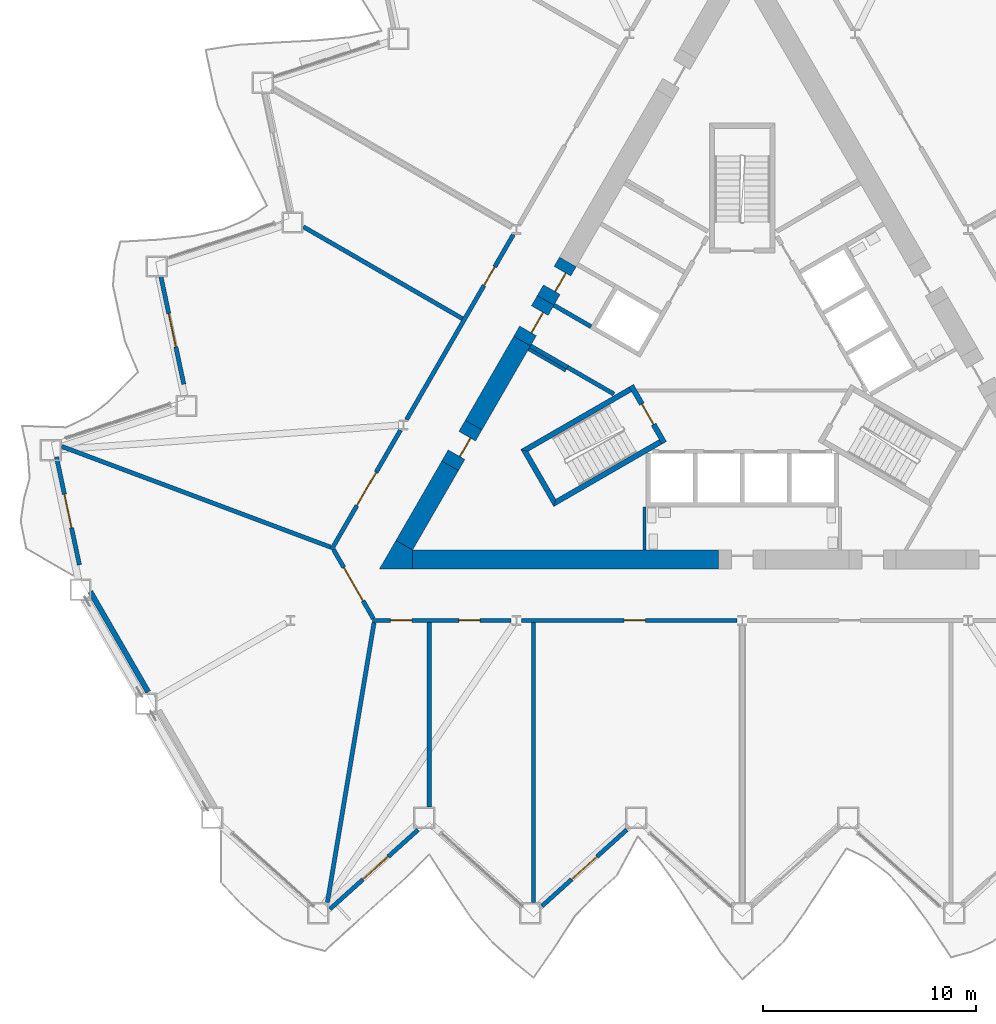
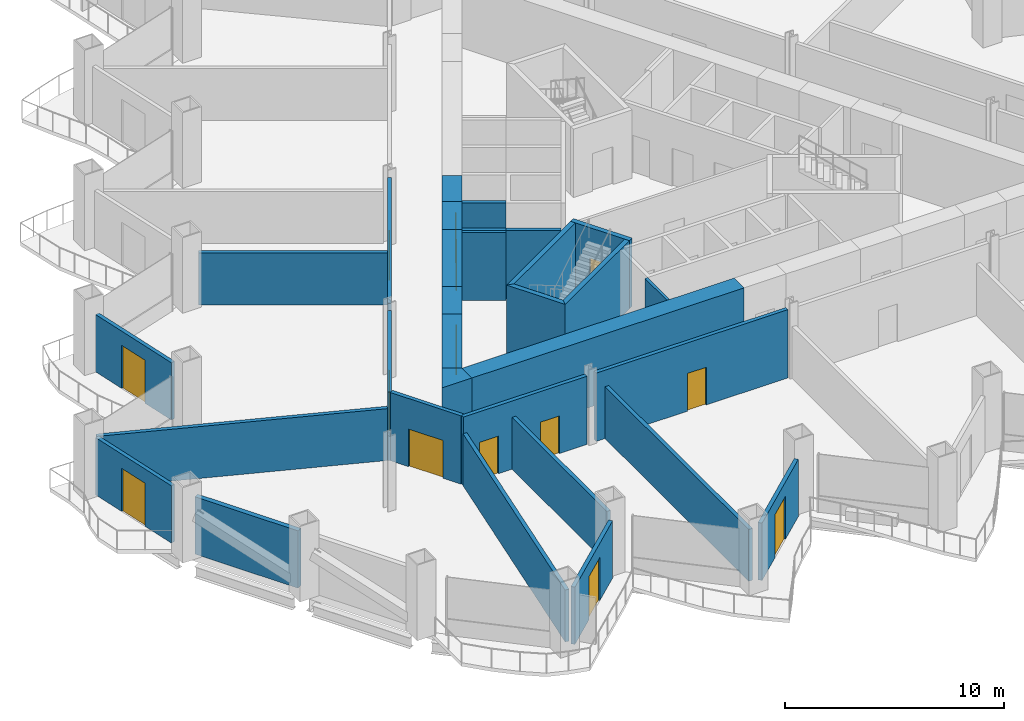
# One storey, part 9 of 20: 31 walls, 14 doors, 14 openings.
"""IFC4 building model written with IfcOpenShell, lengths in metres."""

from ifc_helpers import new_model, si_unit, direction, frame, frame_2d, origin, place, context, subcontext, project, spatial, polyline, rectangle, outline, extrude, material, layer, layer_set, type_object, element, fill, save


model = new_model("IFC4")

# Units and contexts
model_context = context("Model", 3, precision=1e-05, world=origin(), true_north=direction((0.0, 1.0)))
body_context = subcontext(model_context, "Body", "Model", "MODEL_VIEW")
ifc_project = project(units=[si_unit("LENGTHUNIT", "METRE"), si_unit("AREAUNIT", "SQUARE_METRE"), si_unit("VOLUMEUNIT", "CUBIC_METRE"), si_unit("PLANEANGLEUNIT", "RADIAN"), si_unit("MASSUNIT", "GRAM", prefix="KILO")], contexts=[model_context])

# Site, building, storey
site_placement = place(None, origin())
site = spatial("IfcSite", under=ifc_project, at=site_placement, CompositionType="ELEMENT")
building_placement = place(site_placement, origin())
building = spatial("IfcBuilding", under=site, at=building_placement, Name="Cormorant Prow Tower", CompositionType="ELEMENT")
storey_placement = place(building_placement, frame((0.0, 0.0, 59.39990234375)))
storey = spatial("IfcBuildingStorey", under=building, at=storey_placement, Name="L12", CompositionType="ELEMENT", Elevation=59.39990234375)

# Walls
ifc_material_1 = material(Name="Gypsum board partition")
ifc_layer_1 = layer(ifc_material_1, 0.14990234375)
ifc_layer_set_1 = layer_set([ifc_layer_1], Name="Gypsum board partition")
wall_type_1 = type_object("IfcWallType", Name="Core partition 150", PredefinedType="PARTITIONING", material=ifc_layer_set_1)
wall_1_placement = place(storey_placement, frame((-4.574951171875, -6.906005859375, 0.0), z_axis=(0.0, 0.0, 1.0), x_axis=(0.0, -1.0, 0.0)))
element("IfcWall", 1, at=wall_1_placement, inside=storey, type_object=wall_type_1, Name="Service room partition", PredefinedType="PARTITIONING", context=body_context, shape_type="SweptSolid", body=[
    extrude(rectangle(XDim=2.009033203125, YDim=0.14990234375, at=frame_2d((1.00439453125, 0.0))), origin(), (0.0, 0.0, 1.0), 3.800048828125),
])
wall_2_placement = place(storey_placement, frame((-8.268310546875, -0.509033203125, 0.0), z_axis=(0.0, 0.0, 1.0), x_axis=(-0.866035824272, 0.499981950752, 0.0)))
element("IfcWall", 2, at=wall_2_placement, inside=storey, type_object=wall_type_1, Name="Service room partition", PredefinedType="PARTITIONING", context=body_context, shape_type="SweptSolid", body=[
    extrude(rectangle(XDim=2.0087890625, YDim=0.14990234375, at=frame_2d((1.00439453125, 0.0))), origin(), (0.0, 0.0, 1.0), 3.800048828125),
])
ifc_material_2 = material(Name="Concrete 8000 psi", Category="concrete")
ifc_layer_2 = layer(ifc_material_2, 0.89990234375)
ifc_layer_set_2 = layer_set([ifc_layer_2], Name="Concrete 8000 psi")
wall_type_2 = type_object("IfcWallType", Name="Core shear wall 900", PredefinedType="SHEAR", material=ifc_layer_set_2)
wall_3_placement = place(storey_placement, frame((-15.441162109375, -9.364990234375, 0.0), z_axis=(0.0, 0.0, 1.0), x_axis=(1.0, 0.0, 0.0)))
element("IfcWall", 3, at=wall_3_placement, inside=storey, type_object=wall_type_2, Name="Core wall", PredefinedType="SHEAR", context=body_context, shape_type="SweptSolid", body=[
    extrude(rectangle(XDim=14.341064453125, YDim=0.89990234375, at=frame_2d((7.17041015625, 0.0))), origin(), (0.0, 0.0, 1.0), 3.800048828125),
])
wall_4_placement = place(storey_placement, frame((-10.310302734375, 0.8720703125, 0.0), z_axis=(0.0, 0.0, 1.0), x_axis=(-0.499968858743, -0.866043382451, 0.0)))
element("IfcWall", 4, at=wall_4_placement, inside=storey, type_object=wall_type_2, Name="Core wall", PredefinedType="SHEAR", context=body_context, shape_type="SweptSolid", body=[
    extrude(rectangle(XDim=4.545654296875, YDim=0.89990234375, at=frame_2d((2.27294921875, 0.0))), origin(), (0.0, 0.0, 1.0), 3.800048828125),
])
wall_5_placement = place(storey_placement, frame((-13.68310546875, -4.969970703125, 0.0), z_axis=(0.0, 0.0, 1.0), x_axis=(-0.499996331799, -0.866027521611, 0.0)))
element("IfcWall", 5, at=wall_5_placement, inside=storey, type_object=wall_type_2, Name="Core wall", PredefinedType="SHEAR", context=body_context, shape_type="SweptSolid", body=[
    extrude(rectangle(XDim=4.29541015625, YDim=0.89990234375, at=frame_2d((2.147705078125, 0.0))), origin(), (0.0, 0.0, 1.0), 3.800048828125),
])
wall_6_placement = place(storey_placement, origin())
element("IfcWall", 6, at=wall_6_placement, inside=storey, type_object=wall_type_2, Name="Core wall corner", PredefinedType="SHEAR", context=body_context, shape_type="SweptSolid", body=[
    extrude(outline(polyline([(-16.220703125, -8.465087890625), (-15.441162109375, -8.9150390625), (-15.441162109375, -9.81494140625), (-17.0, -9.81494140625), (-16.220703125, -8.465087890625)])), origin(), (0.0, 0.0, 1.0), 3.800048828125),
])

# Wall, opening, door
wall_7_placement = place(storey_placement, frame((-12.5830078125, -3.064697265625, 0.0), z_axis=(0.0, 0.0, 1.0), x_axis=(-0.50002983664, -0.866008176907, 0.0)))
wall_7 = element("IfcWall", 7, at=wall_7_placement, inside=storey, type_object=wall_type_2, Name="Core wall door panel", PredefinedType="SHEAR", context=body_context, shape_type="SweptSolid", body=[
    extrude(rectangle(XDim=2.199951171875, YDim=0.89990234375, at=frame_2d((1.10009765625, 0.0))), origin(), (0.0, 0.0, 1.0), 3.800048828125),
])
opening_1_placement = place(wall_7_placement, frame((0.60009765625, 0.0, 0.0)))
opening_1 = element("IfcOpeningElement", 8, at=opening_1_placement, cuts=wall_7, Name="Opening L12-C16", PredefinedType="OPENING", context=body_context, shape_type="SweptSolid", body=[
    extrude(rectangle(XDim=1.0, YDim=2.10009765625, at=frame_2d((0.5, 1.050048828125))), frame((0.0, 0.4599609375, 0.0), z_axis=(0.0, -1.0, 0.0), x_axis=(1.0, 0.0, 0.0)), (0.0, 0.0, 1.0), 0.919921875),
])
ifc_material_3 = material(Name="Painted steel", Category="steel")
door_type_1 = type_object("IfcDoorType", Name="Service door 1000x2100", OperationType="NOTDEFINED", PredefinedType="DOOR", material=ifc_material_3)
door_1_placement = place(opening_1_placement, origin())
door_1 = element("IfcDoor", 9, at=door_1_placement, inside=storey, type_object=door_type_1, Name="Core door, Telecom room", OperationType="SINGLE_SWING_LEFT", OverallHeight=2.10009765625, OverallWidth=1.0, PredefinedType="DOOR", context=body_context, shape_type="SweptSolid", body=[
    extrude(rectangle(XDim=1.0, YDim=2.10009765625, at=frame_2d((0.5, 1.050048828125))), frame((0.0, 0.205078125, 0.0), z_axis=(0.0, -1.0, 0.0), x_axis=(1.0, 0.0, 0.0)), (0.0, 0.0, 1.0), 0.050048828125),
])
fill(opening_1, door_1)

wall_8_placement = place(storey_placement, frame((-8.17041015625, 4.57861328125, 0.0), z_axis=(0.0, 0.0, 1.0), x_axis=(-0.499888406853, -0.866089822532, 0.0)))
wall_8 = element("IfcWall", 10, at=wall_8_placement, inside=storey, type_object=wall_type_2, Name="Core wall door panel", PredefinedType="SHEAR", context=body_context, shape_type="SweptSolid", body=[
    extrude(rectangle(XDim=2.080078125, YDim=0.89990234375, at=frame_2d((1.0400390625, 0.0))), origin(), (0.0, 0.0, 1.0), 3.800048828125),
])
opening_2_placement = place(wall_8_placement, frame((0.5, 0.0, 0.0)))
opening_2 = element("IfcOpeningElement", 11, at=opening_2_placement, cuts=wall_8, Name="Opening L12-C19", PredefinedType="OPENING", context=body_context, shape_type="SweptSolid", body=[
    extrude(rectangle(XDim=1.0, YDim=2.10009765625, at=frame_2d((0.5, 1.050048828125))), frame((0.0, 0.4599609375, 0.0), z_axis=(0.0, -1.0, 0.0), x_axis=(1.0, 0.0, 0.0)), (0.0, 0.0, 1.0), 0.919921875),
])
door_2_placement = place(opening_2_placement, origin())
door_2 = element("IfcDoor", 12, at=door_2_placement, inside=storey, type_object=door_type_1, Name="Core door, Electrical room", OperationType="SINGLE_SWING_RIGHT", OverallHeight=2.10009765625, OverallWidth=1.0, PredefinedType="DOOR", context=body_context, shape_type="SweptSolid", body=[
    extrude(rectangle(XDim=1.0, YDim=2.10009765625, at=frame_2d((0.5, 1.050048828125))), frame((0.0, 0.205078125, 0.0), z_axis=(0.0, -1.0, 0.0), x_axis=(1.0, 0.0, 0.0)), (0.0, 0.0, 1.0), 0.050048828125),
])
fill(opening_2, door_2)

wall_9_placement = place(storey_placement, frame((-9.210205078125, 2.777099609375, 0.0), z_axis=(0.0, 0.0, 1.0), x_axis=(-0.500077893725, -0.86598042715, 0.0)))
wall_9 = element("IfcWall", 13, at=wall_9_placement, inside=storey, type_object=wall_type_2, Name="Core wall door panel", PredefinedType="SHEAR", context=body_context, shape_type="SweptSolid", body=[
    extrude(rectangle(XDim=2.199951171875, YDim=0.89990234375, at=frame_2d((1.10009765625, 0.0))), origin(), (0.0, 0.0, 1.0), 3.800048828125),
])
opening_3_placement = place(wall_9_placement, frame((0.550048828125, 0.0, 0.0)))
opening_3 = element("IfcOpeningElement", 14, at=opening_3_placement, cuts=wall_9, Name="Opening L12-C23", PredefinedType="OPENING", context=body_context, shape_type="SweptSolid", body=[
    extrude(rectangle(XDim=1.10009765625, YDim=2.10009765625, at=frame_2d((0.550048828125, 1.050048828125))), frame((0.0, 0.4599609375, 0.0), z_axis=(0.0, -1.0, 0.0), x_axis=(1.0, 0.0, 0.0)), (0.0, 0.0, 1.0), 0.919921875),
])
ifc_material_4 = material(Name="Painted steel", Category="steel")
door_type_2 = type_object("IfcDoorType", Name="Core door 1100x2100", OperationType="NOTDEFINED", PredefinedType="DOOR", material=ifc_material_4)
door_3_placement = place(opening_3_placement, origin())
door_3 = element("IfcDoor", 15, at=door_3_placement, inside=storey, type_object=door_type_2, Name="Core door, lift lobby", OperationType="SINGLE_SWING_LEFT", OverallHeight=2.10009765625, OverallWidth=1.10009765625, PredefinedType="DOOR", context=body_context, shape_type="SweptSolid", body=[
    extrude(rectangle(XDim=1.10009765625, YDim=2.10009765625, at=frame_2d((0.550048828125, 1.050048828125))), frame((0.0, 0.205078125, 0.0), z_axis=(0.0, -1.0, 0.0), x_axis=(1.0, 0.0, 0.0)), (0.0, 0.0, 1.0), 0.050048828125),
])
fill(opening_3, door_3)

ifc_material_5 = material(Name="Gypsum board corridor wall")
ifc_layer_3 = layer(ifc_material_5, 0.199951171875)
ifc_layer_set_3 = layer_set([ifc_layer_3], Name="Gypsum board corridor wall")
wall_type_3 = type_object("IfcWallType", Name="Corridor wall 200", PredefinedType="PARTITIONING", material=ifc_layer_set_3)
wall_10_placement = place(storey_placement, frame((-10.336181640625, -12.215087890625, 0.0), z_axis=(0.0, 0.0, 1.0), x_axis=(1.0, 0.0, 0.0)))
wall_10 = element("IfcWall", 16, at=wall_10_placement, inside=storey, type_object=wall_type_3, Name="Corridor wall", PredefinedType="PARTITIONING", context=body_context, shape_type="SweptSolid", body=[
    extrude(rectangle(XDim=10.093994140625, YDim=0.199951171875, at=frame_2d((5.046875, 0.0))), origin(), (0.0, 0.0, 1.0), 3.800048828125),
])
opening_4_placement = place(wall_10_placement, frame((4.7998046875, 0.0, 0.0)))
opening_4 = element("IfcOpeningElement", 17, at=opening_4_placement, cuts=wall_10, Name="Opening L12-F03", PredefinedType="OPENING", context=body_context, shape_type="SweptSolid", body=[
    extrude(rectangle(XDim=1.0, YDim=2.10009765625, at=frame_2d((0.5, 1.050048828125))), frame((0.0, 0.10986328125, 0.0), z_axis=(0.0, -1.0, 0.0), x_axis=(1.0, 0.0, 0.0)), (0.0, 0.0, 1.0), 0.219970703125),
])
ifc_material_6 = material(Name="Timber door leaf", Category="wood")
door_type_3 = type_object("IfcDoorType", Name="Office door 1000x2100", OperationType="NOTDEFINED", PredefinedType="DOOR", material=ifc_material_6)
door_4_placement = place(opening_4_placement, origin())
door_4 = element("IfcDoor", 18, at=door_4_placement, inside=storey, type_object=door_type_3, Name="Tenant suite door", OperationType="SINGLE_SWING_LEFT", OverallHeight=2.10009765625, OverallWidth=1.0, PredefinedType="DOOR", context=body_context, shape_type="SweptSolid", body=[
    extrude(rectangle(XDim=1.0, YDim=2.10009765625, at=frame_2d((0.5, 1.050048828125))), frame((0.0, 0.02490234375, 0.0), z_axis=(0.0, -1.0, 0.0), x_axis=(1.0, 0.0, 0.0)), (0.0, 0.0, 1.0), 0.050048828125),
])
fill(opening_4, door_4)

wall_11_placement = place(storey_placement, frame((-15.727783203125, -2.811279296875, 0.0), z_axis=(0.0, 0.0, 1.0), x_axis=(0.49999175339, 0.866030164915, 0.0)))
wall_11 = element("IfcWall", 19, at=wall_11_placement, inside=storey, type_object=wall_type_3, Name="Corridor wall", PredefinedType="PARTITIONING", context=body_context, shape_type="SweptSolid", body=[
    extrude(rectangle(XDim=10.018798828125, YDim=0.199951171875, at=frame_2d((5.00927734375, 0.0))), origin(), (0.0, 0.0, 1.0), 3.800048828125),
])
opening_5_placement = place(wall_11_placement, frame((7.265625, 0.0, 0.0)))
opening_5 = element("IfcOpeningElement", 20, at=opening_5_placement, cuts=wall_11, Name="Opening L12-F13", PredefinedType="OPENING", context=body_context, shape_type="SweptSolid", body=[
    extrude(rectangle(XDim=1.0, YDim=2.10009765625, at=frame_2d((0.5, 1.050048828125))), frame((0.0, 0.10986328125, 0.0), z_axis=(0.0, -1.0, 0.0), x_axis=(1.0, 0.0, 0.0)), (0.0, 0.0, 1.0), 0.219970703125),
])
door_5_placement = place(opening_5_placement, origin())
door_5 = element("IfcDoor", 21, at=door_5_placement, inside=storey, type_object=door_type_3, Name="Private office door", OperationType="SINGLE_SWING_LEFT", OverallHeight=2.10009765625, OverallWidth=1.0, PredefinedType="DOOR", context=body_context, shape_type="SweptSolid", body=[
    extrude(rectangle(XDim=1.0, YDim=2.10009765625, at=frame_2d((0.5, 1.050048828125))), frame((0.0, 0.02490234375, 0.0), z_axis=(0.0, -1.0, 0.0), x_axis=(1.0, 0.0, 0.0)), (0.0, 0.0, 1.0), 0.050048828125),
])
fill(opening_5, door_5)

# Wall, openings, doors
wall_12_placement = place(storey_placement, frame((-17.330810546875, -12.215087890625, 0.0), z_axis=(0.0, 0.0, 1.0), x_axis=(1.0, 0.0, 0.0)))
wall_12 = element("IfcWall", 22, at=wall_12_placement, inside=storey, type_object=wall_type_3, Name="Corridor wall", PredefinedType="PARTITIONING", context=body_context, shape_type="SweptSolid", body=[
    extrude(rectangle(XDim=6.510009765625, YDim=0.199951171875, at=frame_2d((3.2548828125, 0.0))), origin(), (0.0, 0.0, 1.0), 3.800048828125),
])
opening_6_placement = place(wall_12_placement, frame((0.851318359375, 0.0, 0.0)))
opening_6 = element("IfcOpeningElement", 23, at=opening_6_placement, cuts=wall_12, Name="Opening L12-F01", PredefinedType="OPENING", context=body_context, shape_type="SweptSolid", body=[
    extrude(rectangle(XDim=1.0, YDim=2.10009765625, at=frame_2d((0.5, 1.050048828125))), frame((0.0, 0.10986328125, 0.0), z_axis=(0.0, -1.0, 0.0), x_axis=(1.0, 0.0, 0.0)), (0.0, 0.0, 1.0), 0.219970703125),
])
opening_7_placement = place(wall_12_placement, frame((4.0576171875, 0.0, 0.0)))
opening_7 = element("IfcOpeningElement", 24, at=opening_7_placement, cuts=wall_12, Name="Opening L12-F02", PredefinedType="OPENING", context=body_context, shape_type="SweptSolid", body=[
    extrude(rectangle(XDim=1.0, YDim=2.10009765625, at=frame_2d((0.5, 1.050048828125))), frame((0.0, 0.10986328125, 0.0), z_axis=(0.0, -1.0, 0.0), x_axis=(1.0, 0.0, 0.0)), (0.0, 0.0, 1.0), 0.219970703125),
])
door_6_placement = place(opening_6_placement, origin())
door_6 = element("IfcDoor", 25, at=door_6_placement, inside=storey, type_object=door_type_3, Name="Private office door", OperationType="SINGLE_SWING_LEFT", OverallHeight=2.10009765625, OverallWidth=1.0, PredefinedType="DOOR", context=body_context, shape_type="SweptSolid", body=[
    extrude(rectangle(XDim=1.0, YDim=2.10009765625, at=frame_2d((0.5, 1.050048828125))), frame((0.0, 0.02490234375, 0.0), z_axis=(0.0, -1.0, 0.0), x_axis=(1.0, 0.0, 0.0)), (0.0, 0.0, 1.0), 0.050048828125),
])
fill(opening_6, door_6)
door_7_placement = place(opening_7_placement, origin())
door_7 = element("IfcDoor", 26, at=door_7_placement, inside=storey, type_object=door_type_3, Name="Private office door", OperationType="SINGLE_SWING_LEFT", OverallHeight=2.10009765625, OverallWidth=1.0, PredefinedType="DOOR", context=body_context, shape_type="SweptSolid", body=[
    extrude(rectangle(XDim=1.0, YDim=2.10009765625, at=frame_2d((0.5, 1.050048828125))), frame((0.0, 0.02490234375, 0.0), z_axis=(0.0, -1.0, 0.0), x_axis=(1.0, 0.0, 0.0)), (0.0, 0.0, 1.0), 0.050048828125),
])
fill(opening_7, door_7)

# Wall, opening, door
wall_13_placement = place(storey_placement, frame((-19.243896484375, -8.901611328125, 0.0), z_axis=(0.0, 0.0, 1.0), x_axis=(0.499984737558, 0.86603421538, 0.0)))
wall_13 = element("IfcWall", 27, at=wall_13_placement, inside=storey, type_object=wall_type_3, Name="Corridor wall", PredefinedType="PARTITIONING", context=body_context, shape_type="SweptSolid", body=[
    extrude(rectangle(XDim=6.472900390625, YDim=0.199951171875, at=frame_2d((3.236328125, 0.0))), origin(), (0.0, 0.0, 1.0), 3.800048828125),
])
opening_8_placement = place(wall_13_placement, frame((2.38720703125, 0.0, 0.0)))
opening_8 = element("IfcOpeningElement", 28, at=opening_8_placement, cuts=wall_13, Name="Opening L12-F14", PredefinedType="OPENING", context=body_context, shape_type="SweptSolid", body=[
    extrude(rectangle(XDim=1.800048828125, YDim=2.10009765625, at=frame_2d((0.89990234375, 1.050048828125))), frame((0.0, 0.10986328125, 0.0), z_axis=(0.0, -1.0, 0.0), x_axis=(1.0, 0.0, 0.0)), (0.0, 0.0, 1.0), 0.219970703125),
])
ifc_material_7 = material(Name="Timber door leaf", Category="wood")
door_type_4 = type_object("IfcDoorType", Name="Double door 1800x2100", OperationType="DOUBLE_DOOR_SINGLE_SWING", PredefinedType="DOOR", material=ifc_material_7)
door_8_placement = place(opening_8_placement, origin())
door_8 = element("IfcDoor", 29, at=door_8_placement, inside=storey, type_object=door_type_4, Name="Trading room door", OperationType="DOUBLE_DOOR_SINGLE_SWING", OverallHeight=2.10009765625, OverallWidth=1.800048828125, PredefinedType="DOOR", context=body_context, shape_type="SweptSolid", body=[
    extrude(rectangle(XDim=1.800048828125, YDim=2.10009765625, at=frame_2d((0.89990234375, 1.050048828125))), frame((0.0, 0.02490234375, 0.0), z_axis=(0.0, -1.0, 0.0), x_axis=(1.0, 0.0, 0.0)), (0.0, 0.0, 1.0), 0.050048828125),
])
fill(opening_8, door_8)

wall_14_placement = place(storey_placement, frame((-19.143798828125, -8.901611328125, 0.0), z_axis=(0.0, 0.0, 1.0), x_axis=(0.499958791762, -0.866049194065, 0.0)))
wall_14 = element("IfcWall", 30, at=wall_14_placement, inside=storey, type_object=wall_type_3, Name="Corridor wall", PredefinedType="PARTITIONING", context=body_context, shape_type="SweptSolid", body=[
    extrude(rectangle(XDim=3.725830078125, YDim=0.199951171875, at=frame_2d((1.86279296875, 0.0))), origin(), (0.0, 0.0, 1.0), 3.800048828125),
])
opening_9_placement = place(wall_14_placement, frame((0.962890625, 0.0, 0.0)))
opening_9 = element("IfcOpeningElement", 31, at=opening_9_placement, cuts=wall_14, Name="Opening L12-F15", PredefinedType="OPENING", context=body_context, shape_type="SweptSolid", body=[
    extrude(rectangle(XDim=1.800048828125, YDim=2.10009765625, at=frame_2d((0.89990234375, 1.050048828125))), frame((0.0, 0.10986328125, 0.0), z_axis=(0.0, -1.0, 0.0), x_axis=(1.0, 0.0, 0.0)), (0.0, 0.0, 1.0), 0.219970703125),
])
door_9_placement = place(opening_9_placement, origin())
door_9 = element("IfcDoor", 32, at=door_9_placement, inside=storey, type_object=door_type_4, Name="Trading room door", OperationType="DOUBLE_DOOR_SINGLE_SWING", OverallHeight=2.10009765625, OverallWidth=1.800048828125, PredefinedType="DOOR", context=body_context, shape_type="SweptSolid", body=[
    extrude(rectangle(XDim=1.800048828125, YDim=2.10009765625, at=frame_2d((0.89990234375, 1.050048828125))), frame((0.0, 0.02490234375, 0.0), z_axis=(0.0, -1.0, 0.0), x_axis=(1.0, 0.0, 0.0)), (0.0, 0.0, 1.0), 0.050048828125),
])
fill(opening_9, door_9)

# Walls
ifc_material_8 = material(Name="Gypsum board demising wall")
ifc_layer_4 = layer(ifc_material_8, 0.199951171875)
ifc_layer_set_4 = layer_set([ifc_layer_4], Name="Gypsum board demising wall")
wall_type_4 = type_object("IfcWallType", Name="Demising wall 200", PredefinedType="PARTITIONING", material=ifc_layer_set_4)
wall_15_placement = place(storey_placement, frame((-31.87939453125, -4.0625, 0.0), z_axis=(0.0, 0.0, 1.0), x_axis=(0.93644254502, -0.350820979814, 0.0)))
element("IfcWall", 33, at=wall_15_placement, inside=storey, type_object=wall_type_4, Name="Demising wall", PredefinedType="PARTITIONING", context=body_context, shape_type="SweptSolid", body=[
    extrude(rectangle(XDim=13.446533203125, YDim=0.199951171875, at=frame_2d((6.72314453125, 0.0))), origin(), (0.0, 0.0, 1.0), 2.885498046875),
])
wall_16_placement = place(storey_placement, frame((-19.431884765625, -25.42138671875, 0.0), z_axis=(0.0, 0.0, 1.0), x_axis=(0.164396008001, 0.986394420378, 0.0)))
element("IfcWall", 34, at=wall_16_placement, inside=storey, type_object=wall_type_4, Name="Demising wall", PredefinedType="PARTITIONING", context=body_context, shape_type="SweptSolid", body=[
    extrude(rectangle(XDim=13.28857421875, YDim=0.199951171875, at=frame_2d((6.644287109375, 0.0))), origin(), (0.0, 0.0, 1.0), 2.885498046875),
])
wall_17_placement = place(storey_placement, frame((-9.775390625, -25.42138671875, 0.0), z_axis=(0.0, 0.0, 1.0), x_axis=(0.0, 1.0, 0.0)))
element("IfcWall", 35, at=wall_17_placement, inside=storey, type_object=wall_type_4, Name="Demising wall", PredefinedType="PARTITIONING", context=body_context, shape_type="SweptSolid", body=[
    extrude(rectangle(XDim=13.1064453125, YDim=0.199951171875, at=frame_2d((6.55322265625, 0.0))), origin(), (0.0, 0.0, 1.0), 2.885498046875),
])
wall_18_placement = place(storey_placement, frame((-14.663330078125, -20.949951171875, 0.0), z_axis=(0.0, 0.0, 1.0), x_axis=(0.0, 1.0, 0.0)))
element("IfcWall", 36, at=wall_18_placement, inside=storey, type_object=wall_type_4, Name="Demising wall", PredefinedType="PARTITIONING", context=body_context, shape_type="SweptSolid", body=[
    extrude(rectangle(XDim=8.635009765625, YDim=0.199951171875, at=frame_2d((4.3173828125, 0.0))), origin(), (0.0, 0.0, 1.0), 2.885498046875),
])
wall_19_placement = place(storey_placement, frame((-20.557861328125, 6.22509765625, 0.0), z_axis=(0.0, 0.0, 1.0), x_axis=(0.866031967744, -0.499988630717, 0.0)))
element("IfcWall", 37, at=wall_19_placement, inside=storey, type_object=wall_type_4, Name="Demising wall", PredefinedType="PARTITIONING", context=body_context, shape_type="SweptSolid", body=[
    extrude(rectangle(XDim=8.601318359375, YDim=0.199951171875, at=frame_2d((4.30078125, 0.0))), origin(), (0.0, 0.0, 1.0), 2.885498046875),
])
ifc_material_9 = material(Name="Concrete 8000 psi", Category="concrete")
ifc_layer_5 = layer(ifc_material_9, 0.199951171875)
ifc_layer_set_5 = layer_set([ifc_layer_5], Name="Concrete 8000 psi")
wall_type_5 = type_object("IfcWallType", Name="Lift shaft wall 200", PredefinedType="SHEAR", material=ifc_layer_set_5)
wall_20_placement = place(storey_placement, origin())
element("IfcWall", 38, at=wall_20_placement, inside=storey, type_object=wall_type_5, Name="Lift shaft walls, WNW block", PredefinedType="SHEAR", context=body_context, shape_type="SweptSolid", body=[
    extrude(outline(polyline([(-6.060546875, -1.697021484375), (-8.230712890625, -0.444091796875), (-8.130859375, -0.27099609375), (-5.96044921875, -1.52392578125), (-6.060546875, -1.697021484375)])), origin(), (0.0, 0.0, 1.0), 3.800048828125),
])
wall_21_placement = place(storey_placement, frame((-7.080810546875, 1.547607421875, 0.0), z_axis=(0.0, 0.0, 1.0), x_axis=(-0.865983199114, 0.50007309351, 0.0)))
element("IfcWall", 39, at=wall_21_placement, inside=storey, type_object=wall_type_5, Name="Lobby passage wall", PredefinedType="SHEAR", context=body_context, shape_type="SweptSolid", body=[
    extrude(rectangle(XDim=2.009033203125, YDim=0.199951171875, at=frame_2d((1.00439453125, 0.0))), origin(), (0.0, 0.0, 1.0), 3.800048828125),
])
wall_22_placement = place(storey_placement, frame((-8.180908203125, -0.357421875, 0.0), z_axis=(0.0, 0.0, 1.0), x_axis=(-0.866035824272, 0.499981950752, 0.0)))
element("IfcWall", 40, at=wall_22_placement, inside=storey, type_object=wall_type_5, Name="Lobby passage wall", PredefinedType="SHEAR", context=body_context, shape_type="SweptSolid", body=[
    extrude(rectangle(XDim=2.0087890625, YDim=0.199951171875, at=frame_2d((1.00439453125, 0.0))), origin(), (0.0, 0.0, 1.0), 3.800048828125),
])
ifc_material_10 = material(Name="Concrete 8000 psi", Category="concrete")
ifc_layer_6 = layer(ifc_material_10, 0.25)
ifc_layer_set_6 = layer_set([ifc_layer_6], Name="Concrete 8000 psi")
wall_type_6 = type_object("IfcWallType", Name="Stair wall 250", PredefinedType="SHEAR", material=ifc_layer_set_6)
wall_23_placement = place(storey_placement, origin())
element("IfcWall", 41, at=wall_23_placement, inside=storey, type_object=wall_type_6, Name="Stair ST1 enclosure wall (flank)", PredefinedType="SHEAR", context=body_context, shape_type="SweptSolid", body=[
    extrude(outline(polyline([(-5.30712890625, -1.28125), (-10.37353515625, -4.206298828125), (-10.031982421875, -4.2978515625), (-5.18212890625, -1.497802734375), (-5.30712890625, -1.28125)])), origin(), (0.0, 0.0, 1.0), 3.800048828125),
])
wall_24_placement = place(storey_placement, origin())
element("IfcWall", 42, at=wall_24_placement, inside=storey, type_object=wall_type_6, Name="Stair ST1 enclosure wall (end)", PredefinedType="SHEAR", context=body_context, shape_type="SweptSolid", body=[
    extrude(outline(polyline([(-10.37353515625, -4.206298828125), (-8.82958984375, -6.880615234375), (-8.738037109375, -6.5390625), (-10.031982421875, -4.2978515625), (-10.37353515625, -4.206298828125)])), origin(), (0.0, 0.0, 1.0), 3.800048828125),
])
wall_25_placement = place(storey_placement, origin())
element("IfcWall", 43, at=wall_25_placement, inside=storey, type_object=wall_type_6, Name="Stair ST1 enclosure wall (flank)", PredefinedType="SHEAR", context=body_context, shape_type="SweptSolid", body=[
    extrude(outline(polyline([(-8.738037109375, -6.5390625), (-8.82958984375, -6.880615234375), (-3.76318359375, -3.95556640625), (-3.88818359375, -3.739013671875), (-8.738037109375, -6.5390625)])), origin(), (0.0, 0.0, 1.0), 3.800048828125),
])

# Wall, opening, door
wall_26_placement = place(storey_placement, frame((-5.198974609375, -1.21875, 0.0), z_axis=(0.0, 0.0, 1.0), x_axis=(0.499982516597, -0.866035497597, 0.0)))
wall_26 = element("IfcWall", 44, at=wall_26_placement, inside=storey, type_object=wall_type_6, Name="Stair ST1 door wall", PredefinedType="SHEAR", context=body_context, shape_type="SweptSolid", body=[
    extrude(rectangle(XDim=3.087890625, YDim=0.25, at=frame_2d((1.5439453125, 0.0))), origin(), (0.0, 0.0, 1.0), 3.800048828125),
])
opening_10_placement = place(wall_26_placement, frame((0.993896484375, 0.0, 0.0)))
opening_10 = element("IfcOpeningElement", 45, at=opening_10_placement, cuts=wall_26, Name="Opening L12-C12", PredefinedType="OPENING", context=body_context, shape_type="SweptSolid", body=[
    extrude(rectangle(XDim=1.10009765625, YDim=2.10009765625, at=frame_2d((0.550048828125, 1.050048828125))), frame((0.0, 0.135009765625, 0.0), z_axis=(0.0, -1.0, 0.0), x_axis=(1.0, 0.0, 0.0)), (0.0, 0.0, 1.0), 0.27001953125),
])
ifc_material_11 = material(Name="Painted steel", Category="steel")
door_type_5 = type_object("IfcDoorType", Name="Stair door 1100x2100", OperationType="NOTDEFINED", PredefinedType="DOOR", material=ifc_material_11)
door_10_placement = place(opening_10_placement, origin())
door_10 = element("IfcDoor", 46, at=door_10_placement, inside=storey, type_object=door_type_5, Name="Stair ST1 door", OperationType="SINGLE_SWING_LEFT", OverallHeight=2.10009765625, OverallWidth=1.10009765625, PredefinedType="DOOR", context=body_context, shape_type="SweptSolid", body=[
    extrude(rectangle(XDim=1.10009765625, YDim=2.10009765625, at=frame_2d((0.550048828125, 1.050048828125))), frame((0.0, 0.02490234375, 0.0), z_axis=(0.0, -1.0, 0.0), x_axis=(1.0, 0.0, 0.0)), (0.0, 0.0, 1.0), 0.050048828125),
])
fill(opening_10, door_10)

# Wall
ifc_material_12 = material(Name="Terracotta", Category="masonry")
ifc_layer_7 = layer(ifc_material_12, 0.25)
ifc_layer_set_7 = layer_set([ifc_layer_7], Name="Terracotta")
wall_type_7 = type_object("IfcWallType", Name="Terracotta bay wall 250", PredefinedType="SOLIDWALL", material=ifc_layer_set_7)
wall_27_placement = place(storey_placement, frame((-30.540283203125, -10.867919921875, 0.0), z_axis=(0.0, 0.0, 1.0), x_axis=(0.499991204533, -0.86603048179, 0.0)))
element("IfcWall", 47, at=wall_27_placement, inside=storey, type_object=wall_type_7, Name="Terracotta bay wall WSW00", PredefinedType="SOLIDWALL", context=body_context, shape_type="SweptSolid", body=[
    extrude(rectangle(XDim=5.42578125, YDim=0.25, at=frame_2d((2.712890625, 0.0))), origin(), (0.0, 0.0, 1.0), 3.18896484375),
])

# Wall, opening, door
ifc_material_13 = material(Name="Terracotta", Category="masonry")
ifc_layer_8 = layer(ifc_material_13, 0.199951171875)
ifc_layer_set_8 = layer_set([ifc_layer_8], Name="Terracotta")
wall_type_8 = type_object("IfcWallType", Name="Terracotta jamb wall 200", PredefinedType="SOLIDWALL", material=ifc_layer_set_8)
wall_28_placement = place(storey_placement, frame((-19.310791015625, -25.73583984375, 0.0), z_axis=(0.0, 0.0, 1.0), x_axis=(0.743147692621, 0.66912742206, 0.0)))
wall_28 = element("IfcWall", 48, at=wall_28_placement, inside=storey, type_object=wall_type_8, Name="Terracotta jamb wall S01", PredefinedType="SOLIDWALL", context=body_context, shape_type="SweptSolid", body=[
    extrude(rectangle(XDim=5.554443359375, YDim=0.199951171875, at=frame_2d((2.77734375, 0.0))), origin(), (0.0, 0.0, 1.0), 3.18896484375),
])
opening_11_placement = place(wall_28_placement, frame((2.0751953125, 0.0, 0.0)))
opening_11 = element("IfcOpeningElement", 49, at=opening_11_placement, cuts=wall_28, Name="Opening ED12.01", PredefinedType="OPENING", context=body_context, shape_type="SweptSolid", body=[
    extrude(rectangle(XDim=1.60009765625, YDim=2.39990234375, at=frame_2d((0.800048828125, 1.199951171875))), frame((0.0, 0.10986328125, 0.0), z_axis=(0.0, -1.0, 0.0), x_axis=(1.0, 0.0, 0.0)), (0.0, 0.0, 1.0), 0.219970703125),
])
ifc_material_14 = material(Name="Aluminium 6063-T6", Category="aluminium")
door_type_6 = type_object("IfcDoorType", Name="Balcony door 1600x2400", OperationType="DOUBLE_DOOR_SINGLE_SWING", PredefinedType="DOOR", material=ifc_material_14)
door_11_placement = place(opening_11_placement, origin())
door_11 = element("IfcDoor", 50, at=door_11_placement, inside=storey, type_object=door_type_6, Name="Balcony door S01 ED12.01", OperationType="DOUBLE_DOOR_SINGLE_SWING", OverallHeight=2.39990234375, OverallWidth=1.60009765625, PredefinedType="DOOR", context=body_context, shape_type="SweptSolid", body=[
    extrude(rectangle(XDim=1.60009765625, YDim=2.39990234375, at=frame_2d((0.800048828125, 1.199951171875))), frame((0.0, 0.02490234375, 0.0), z_axis=(0.0, -1.0, 0.0), x_axis=(1.0, 0.0, 0.0)), (0.0, 0.0, 1.0), 0.050048828125),
])
fill(opening_11, door_11)

wall_29_placement = place(storey_placement, frame((-9.378662109375, -25.594970703125, 0.0), z_axis=(0.0, 0.0, 1.0), x_axis=(0.743144193556, 0.669131308178, 0.0)))
wall_29 = element("IfcWall", 51, at=wall_29_placement, inside=storey, type_object=wall_type_8, Name="Terracotta jamb wall S03", PredefinedType="SOLIDWALL", context=body_context, shape_type="SweptSolid", body=[
    extrude(rectangle(XDim=5.34375, YDim=0.199951171875, at=frame_2d((2.671875, 0.0))), origin(), (0.0, 0.0, 1.0), 3.18896484375),
])
opening_12_placement = place(wall_29_placement, frame((1.864501953125, 0.0, 0.0)))
opening_12 = element("IfcOpeningElement", 52, at=opening_12_placement, cuts=wall_29, Name="Opening ED12.02", PredefinedType="OPENING", context=body_context, shape_type="SweptSolid", body=[
    extrude(rectangle(XDim=1.60009765625, YDim=2.39990234375, at=frame_2d((0.800048828125, 1.199951171875))), frame((0.0, 0.10986328125, 0.0), z_axis=(0.0, -1.0, 0.0), x_axis=(1.0, 0.0, 0.0)), (0.0, 0.0, 1.0), 0.219970703125),
])
door_12_placement = place(opening_12_placement, origin())
door_12 = element("IfcDoor", 53, at=door_12_placement, inside=storey, type_object=door_type_6, Name="Balcony door S03 ED12.02", OperationType="DOUBLE_DOOR_SINGLE_SWING", OverallHeight=2.39990234375, OverallWidth=1.60009765625, PredefinedType="DOOR", context=body_context, shape_type="SweptSolid", body=[
    extrude(rectangle(XDim=1.60009765625, YDim=2.39990234375, at=frame_2d((0.800048828125, 1.199951171875))), frame((0.0, 0.02490234375, 0.0), z_axis=(0.0, -1.0, 0.0), x_axis=(1.0, 0.0, 0.0)), (0.0, 0.0, 1.0), 0.050048828125),
])
fill(opening_12, door_12)

wall_30_placement = place(storey_placement, frame((-27.235595703125, 3.91064453125, 0.0), z_axis=(0.0, 0.0, 1.0), x_axis=(0.207877954287, -0.978154771047, 0.0)))
wall_30 = element("IfcWall", 54, at=wall_30_placement, inside=storey, type_object=wall_type_8, Name="Terracotta jamb wall WNW07", PredefinedType="SOLIDWALL", context=body_context, shape_type="SweptSolid", body=[
    extrude(rectangle(XDim=5.171142578125, YDim=0.199951171875, at=frame_2d((2.58544921875, 0.0))), origin(), (0.0, 0.0, 1.0), 3.18896484375),
])
opening_13_placement = place(wall_30_placement, frame((1.78564453125, 0.0, 0.0)))
opening_13 = element("IfcOpeningElement", 55, at=opening_13_placement, cuts=wall_30, Name="Opening ED12.14", PredefinedType="OPENING", context=body_context, shape_type="SweptSolid", body=[
    extrude(rectangle(XDim=1.60009765625, YDim=2.39990234375, at=frame_2d((0.800048828125, 1.199951171875))), frame((0.0, 0.10986328125, 0.0), z_axis=(0.0, -1.0, 0.0), x_axis=(1.0, 0.0, 0.0)), (0.0, 0.0, 1.0), 0.219970703125),
])
door_13_placement = place(opening_13_placement, origin())
door_13 = element("IfcDoor", 56, at=door_13_placement, inside=storey, type_object=door_type_6, Name="Balcony door WNW07 ED12.14", OperationType="DOUBLE_DOOR_SINGLE_SWING", OverallHeight=2.39990234375, OverallWidth=1.60009765625, PredefinedType="DOOR", context=body_context, shape_type="SweptSolid", body=[
    extrude(rectangle(XDim=1.60009765625, YDim=2.39990234375, at=frame_2d((0.800048828125, 1.199951171875))), frame((0.0, 0.02490234375, 0.0), z_axis=(0.0, -1.0, 0.0), x_axis=(1.0, 0.0, 0.0)), (0.0, 0.0, 1.0), 0.050048828125),
])
fill(opening_13, door_13)

wall_31_placement = place(storey_placement, frame((-32.12353515625, -4.55517578125, 0.0), z_axis=(0.0, 0.0, 1.0), x_axis=(0.207923126203, -0.978145169998, 0.0)))
wall_31 = element("IfcWall", 57, at=wall_31_placement, inside=storey, type_object=wall_type_8, Name="Terracotta jamb wall WNW09", PredefinedType="SOLIDWALL", context=body_context, shape_type="SweptSolid", body=[
    extrude(rectangle(XDim=5.171142578125, YDim=0.199951171875, at=frame_2d((2.58544921875, 0.0))), origin(), (0.0, 0.0, 1.0), 3.18896484375),
])
opening_14_placement = place(wall_31_placement, frame((1.78564453125, 0.0, 0.0)))
opening_14 = element("IfcOpeningElement", 58, at=opening_14_placement, cuts=wall_31, Name="Opening ED12.15", PredefinedType="OPENING", context=body_context, shape_type="SweptSolid", body=[
    extrude(rectangle(XDim=1.60009765625, YDim=2.39990234375, at=frame_2d((0.800048828125, 1.199951171875))), frame((0.0, 0.10986328125, 0.0), z_axis=(0.0, -1.0, 0.0), x_axis=(1.0, 0.0, 0.0)), (0.0, 0.0, 1.0), 0.219970703125),
])
door_14_placement = place(opening_14_placement, origin())
door_14 = element("IfcDoor", 59, at=door_14_placement, inside=storey, type_object=door_type_6, Name="Balcony door WNW09 ED12.15", OperationType="DOUBLE_DOOR_SINGLE_SWING", OverallHeight=2.39990234375, OverallWidth=1.60009765625, PredefinedType="DOOR", context=body_context, shape_type="SweptSolid", body=[
    extrude(rectangle(XDim=1.60009765625, YDim=2.39990234375, at=frame_2d((0.800048828125, 1.199951171875))), frame((0.0, 0.02490234375, 0.0), z_axis=(0.0, -1.0, 0.0), x_axis=(1.0, 0.0, 0.0)), (0.0, 0.0, 1.0), 0.050048828125),
])
fill(opening_14, door_14)

save(model, "model.ifc")
